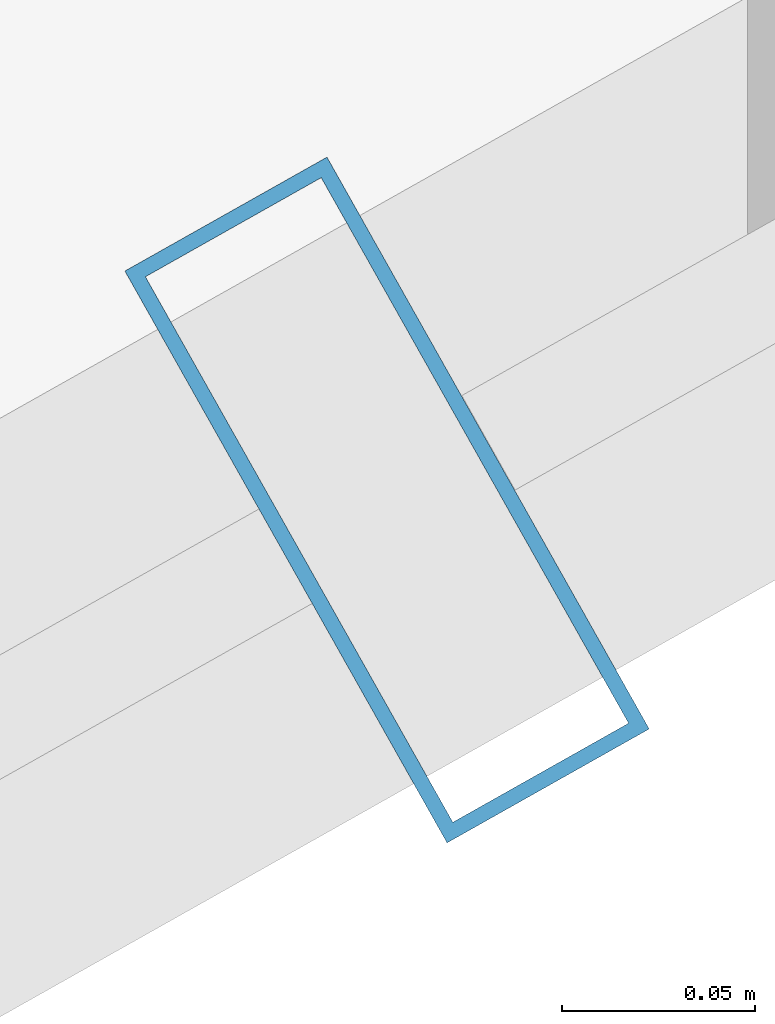
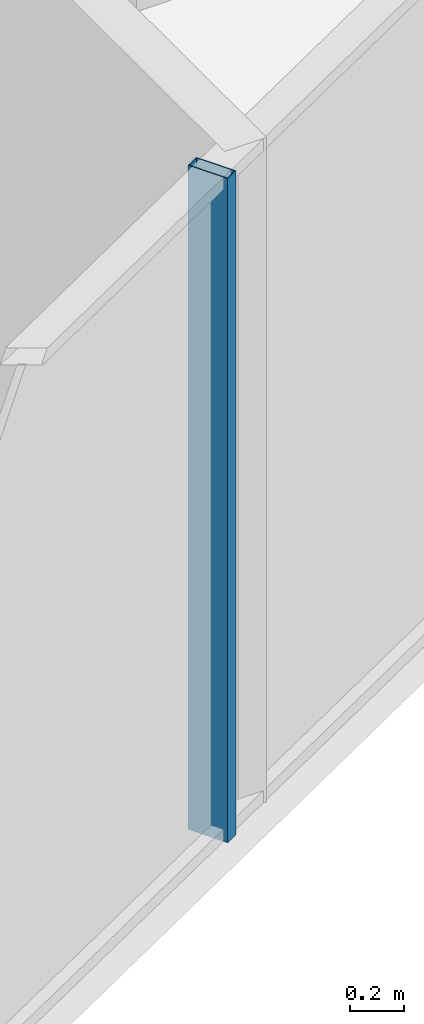
# One storey, part 7 of 30: 1 member, 1 element without a shape of its own.
"""IFC4 building model written with IfcOpenShell, lengths in metres."""

from ifc_helpers import new_model, si_unit, direction, frame, origin, origin_2d, place, context, subcontext, project, spatial, hollow_rectangle, extrude, source, transform, mapped, material, layer, layer_set, material_profile, profile_set, type_object, element, aggregate, save


model = new_model("IFC4")

# Units and contexts
model_context = context("Model", 3, precision=1e-05, world=origin(), true_north=direction((0.0, 1.0)))
body_context = subcontext(model_context, "Body", "Model", "MODEL_VIEW")
ifc_project = project(units=[si_unit("LENGTHUNIT", "METRE"), si_unit("AREAUNIT", "SQUARE_METRE"), si_unit("VOLUMEUNIT", "CUBIC_METRE"), si_unit("PLANEANGLEUNIT", "RADIAN"), si_unit("MASSUNIT", "GRAM", prefix="KILO")], contexts=[model_context])

# Site, building, storey
site_placement = place(None, origin())
site = spatial("IfcSite", under=ifc_project, at=site_placement, CompositionType="ELEMENT")
building_placement = place(site_placement, origin())
building = spatial("IfcBuilding", under=site, at=building_placement, Name="Veraguas Prism Commons", CompositionType="ELEMENT")
storey_placement = place(building_placement, frame((0.0, 0.0, 126.25)))
storey = spatial("IfcBuildingStorey", under=building, at=storey_placement, Name="L35", CompositionType="ELEMENT", Elevation=126.25)

# Curtain wall, member
ifc_material = material(Name="Anodised aluminium EN AW-6063 T6", Category="aluminium")
ifc_layer = layer(ifc_material, 0.169921875, Name="Unitised Flush Curtain Wall Zone 2", Category="aluminium")
ifc_layer_set = layer_set([ifc_layer], Name="Anodised aluminium EN AW-6063 T6")
curtain_wall_type = type_object("IfcCurtainWallType", Name="Unitised Flush Curtain Wall Zone 2", PredefinedType="NOTDEFINED", material=ifc_layer_set)
curtain_wall_placement = place(storey_placement, origin())
curtain_wall = element("IfcCurtainWall", 1, at=curtain_wall_placement, inside=storey, type_object=curtain_wall_type, Name="Tower Facade Curtain Wall L35-F5", PredefinedType="NOTDEFINED")
ifc_material_profile = material_profile(ifc_material, hollow_rectangle(XDim=0.06005859375, YDim=0.169921875, WallThickness=0.00390625, at=origin_2d()), Name="AL60X170X4")
ifc_profile_set = profile_set([ifc_material_profile], Name="Anodised aluminium EN AW-6063 T6")
member_type = type_object("IfcMemberType", Name="Curtain Wall Mullion Lower AL 60x170x4", PredefinedType="MULLION", material=ifc_profile_set)
shared_shape = source(origin(), body_context, "Body", "SweptSolid", [
    extrude(hollow_rectangle(XDim=0.06005859375, YDim=0.169921875, WallThickness=0.00390625, at=origin_2d()), origin(), (0.0, 0.0, 1.0), 3.0),
])
member_placement = place(storey_placement, frame((33.416748046875, 7.287841796875, 0.0), z_axis=(0.0, 0.0, 1.0), x_axis=(0.871214667908, 0.490902233059, 0.0)))
member = element("IfcMember", 2, at=member_placement, type_object=member_type, Name="CW-Z2 Mullion 3", PredefinedType="MULLION", context=body_context, shape_type="MappedRepresentation", body=[
    mapped(shared_shape, transform((0.0, 0.0, 0.0), scale=1.0)),
])
aggregate(curtain_wall, [member])

save(model, "model.ifc")
